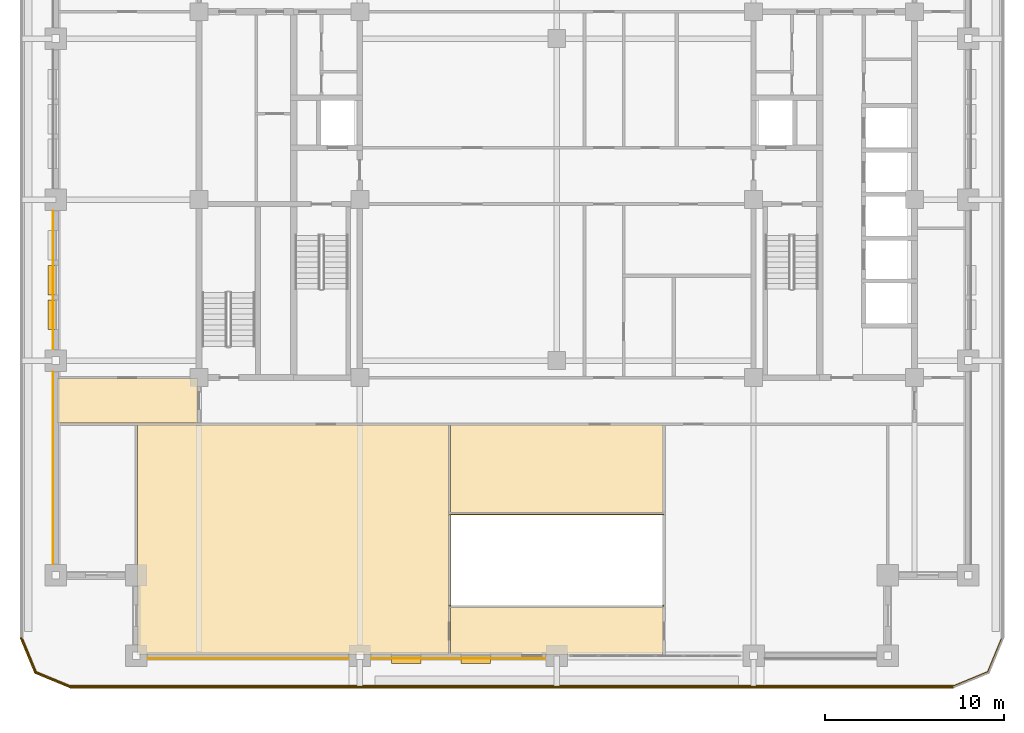
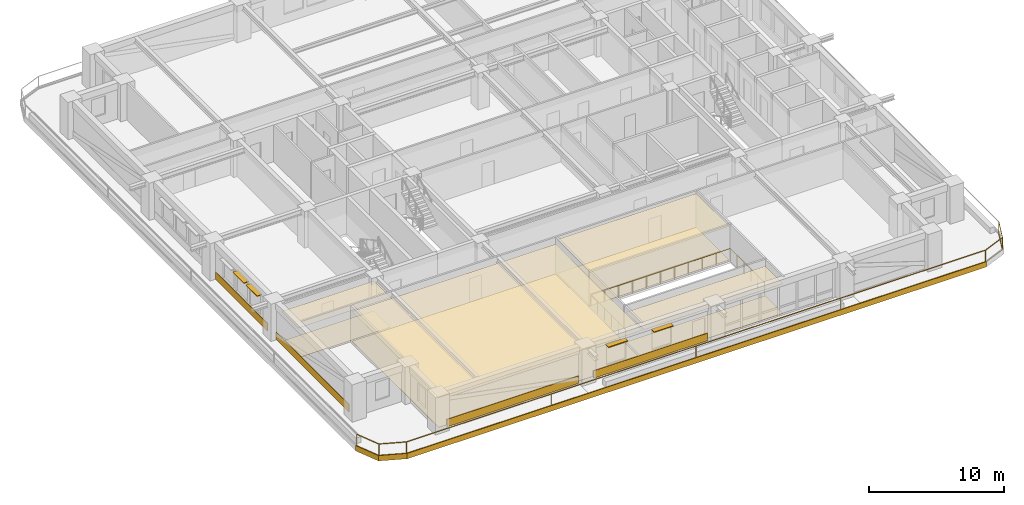
# One storey, part 13 of 20: 15 coverings, 4 shading devices, 2 railings.
"""IFC4 building model written with IfcOpenShell, lengths in metres."""

from ifc_helpers import new_model, si_unit, direction, frame, frame_2d, origin, origin_2d, place, context, subcontext, project, spatial, polyline, rectangle, outline, extrude, material, layer, layer_set, type_object, element, save


model = new_model("IFC4")

# Units and contexts
model_context = context("Model", 3, precision=1e-05, world=origin(), true_north=direction((0.0, 1.0)))
body_context = subcontext(model_context, "Body", "Model", "MODEL_VIEW")
ifc_project = project(units=[si_unit("LENGTHUNIT", "METRE"), si_unit("AREAUNIT", "SQUARE_METRE"), si_unit("VOLUMEUNIT", "CUBIC_METRE"), si_unit("PLANEANGLEUNIT", "RADIAN"), si_unit("MASSUNIT", "GRAM", prefix="KILO")], contexts=[model_context])

# Site, building, storey
site_placement = place(None, origin())
site = spatial("IfcSite", under=ifc_project, at=site_placement, CompositionType="ELEMENT")
building_placement = place(site_placement, origin())
building = spatial("IfcBuilding", under=site, at=building_placement, Name="Zulmaris Gate Convention Tower", CompositionType="ELEMENT")
storey_placement = place(building_placement, frame((0.0, 0.0, 146.33984375)))
storey = spatial("IfcBuildingStorey", under=building, at=storey_placement, Name="L37", CompositionType="ELEMENT", Elevation=146.33984375)

# Coverings
ifc_material_1 = material(Name="Precast concrete C40/50", Category="concrete")
ifc_layer_1 = layer(ifc_material_1, 0.0400390625, Name="Precast concrete C40/50")
ifc_layer_set_1 = layer_set([ifc_layer_1], Name="Precast concrete C40/50")
covering_type_1 = type_object("IfcCoveringType", Name="CLAD-SPANDREL-PRECAST", PredefinedType="CLADDING", material=ifc_layer_set_1)
covering_1_placement = place(storey_placement, frame((-22.8701171875, -25.64990234375, 0.0), z_axis=(0.0, 0.0, 1.0), x_axis=(1.0, 0.0, 0.0)))
element("IfcCovering", 1, at=covering_1_placement, inside=storey, type_object=covering_type_1, Name="CLD-L37-S-0_0", PredefinedType="CLADDING", context=body_context, shape_type="SweptSolid", body=[
    extrude(rectangle(XDim=11.240234375, YDim=0.0400390625, at=frame_2d((5.6201171875, 0.0))), origin(), (0.0, 0.0, 1.0), 0.679931640625),
])
covering_2_placement = place(storey_placement, frame((-10.3701171875, -25.64990234375, 0.0), z_axis=(0.0, 0.0, 1.0), x_axis=(1.0, 0.0, 0.0)))
element("IfcCovering", 2, at=covering_2_placement, inside=storey, type_object=covering_type_1, Name="CLD-L37-S-1_0", PredefinedType="CLADDING", context=body_context, shape_type="SweptSolid", body=[
    extrude(rectangle(XDim=9.740234375, YDim=0.0400390625, at=frame_2d((4.8701171875, 0.0))), origin(), (0.0, 0.0, 1.0), 0.679931640625),
])
covering_3_placement = place(storey_placement, frame((-28.14990234375, -9.6298828125, 0.0), z_axis=(0.0, 0.0, 1.0), x_axis=(0.0, -1.0, 0.0)))
element("IfcCovering", 3, at=covering_3_placement, inside=storey, type_object=covering_type_1, Name="CLD-L37-W-0_0", PredefinedType="CLADDING", context=body_context, shape_type="SweptSolid", body=[
    extrude(rectangle(XDim=10.740234375, YDim=0.0400390625, at=frame_2d((5.3701171875, 0.0))), origin(), (0.0, 0.0, 1.0), 0.679931640625),
])
covering_4_placement = place(storey_placement, frame((-28.14990234375, -0.6298828125, 0.0), z_axis=(0.0, 0.0, 1.0), x_axis=(0.0, -1.0, 0.0)))
element("IfcCovering", 4, at=covering_4_placement, inside=storey, type_object=covering_type_1, Name="CLD-L37-W-1_0", PredefinedType="CLADDING", context=body_context, shape_type="SweptSolid", body=[
    extrude(rectangle(XDim=7.740234375, YDim=0.0400390625, at=frame_2d((3.8701171875, 0.0))), origin(), (0.0, 0.0, 1.0), 0.679931640625),
])
ifc_material_2 = material(Name="White Glazed Architectural Precast Concrete C40/50", Category="concrete")
ifc_layer_2 = layer(ifc_material_2, 0.080078125, Name="White Glazed Architectural Precast Concrete C40/50")
ifc_layer_set_2 = layer_set([ifc_layer_2], Name="White Glazed Architectural Precast Concrete C40/50")
covering_type_2 = type_object("IfcCoveringType", Name="CLAD-TRAY-FASCIA", PredefinedType="CLADDING", material=ifc_layer_set_2)
covering_5_placement = place(storey_placement, frame((-29.962890625, -24.484619140625, -0.364990234375), z_axis=(0.0, 0.0, 1.0), x_axis=(0.382656984709, -0.923890487046, 0.0)))
element("IfcCovering", 5, at=covering_5_placement, inside=storey, type_object=covering_type_2, Name="FSC-L37-TR-00", PredefinedType="CLADDING", context=body_context, shape_type="SweptSolid", body=[
    extrude(rectangle(XDim=2.14306640625, YDim=0.080078125, at=frame_2d((1.071533203125, 0.0))), origin(), (0.0, 0.0, 1.0), 0.48486328125),
])
covering_6_placement = place(storey_placement, frame((-29.16455078125, -26.44287109375, -0.364990234375), z_axis=(0.0, 0.0, 1.0), x_axis=(0.923873803533, -0.382697263049, 0.0)))
element("IfcCovering", 6, at=covering_6_placement, inside=storey, type_object=covering_type_2, Name="FSC-L37-TR-01", PredefinedType="CLADDING", context=body_context, shape_type="SweptSolid", body=[
    extrude(rectangle(XDim=2.142822265625, YDim=0.080078125, at=frame_2d((1.0712890625, 0.0))), origin(), (0.0, 0.0, 1.0), 0.48486328125),
])
covering_7_placement = place(storey_placement, frame((-27.199951171875, -27.260009765625, -0.364990234375), z_axis=(0.0, 0.0, 1.0), x_axis=(1.0, 0.0, 0.0)))
element("IfcCovering", 7, at=covering_7_placement, inside=storey, type_object=covering_type_2, Name="FSC-L37-TR-02", PredefinedType="CLADDING", context=body_context, shape_type="SweptSolid", body=[
    extrude(rectangle(XDim=49.39990234375, YDim=0.080078125, at=frame_2d((24.699951171875, 0.0))), origin(), (0.0, 0.0, 1.0), 0.48486328125),
])
ifc_material_3 = material(Name="Mineral Fibre Acoustic Ceiling Tile")
ifc_layer_3 = layer(ifc_material_3, 0.02001953125, Name="Mineral Fibre Acoustic Ceiling Tile")
ifc_layer_set_3 = layer_set([ifc_layer_3], Name="Mineral Fibre Acoustic Ceiling Tile")
covering_type_3 = type_object("IfcCoveringType", Name="CLG-ACOUSTIC-600", PredefinedType="CEILING", material=ifc_layer_set_3)
covering_8_placement = place(storey_placement, frame((0.0, 0.0, 2.68017578125)))
element("IfcCovering", 8, at=covering_8_placement, inside=storey, type_object=covering_type_3, Name="CLG-L37-R39", PredefinedType="CEILING", context=body_context, shape_type="SweptSolid", body=[
    extrude(outline(polyline([(-5.93994140625, -25.43994140625), (5.93994140625, -25.43994140625), (5.93994140625, -22.81005859375), (-5.93994140625, -22.81005859375), (-5.93994140625, -25.43994140625)])), origin(), (0.0, 0.0, 1.0), 0.019775390625),
])
covering_9_placement = place(storey_placement, frame((0.0, 0.0, 3.0400390625)))
element("IfcCovering", 9, at=covering_9_placement, inside=storey, type_object=covering_type_3, Name="CLG-L37-R40", PredefinedType="CEILING", context=body_context, shape_type="SweptSolid", body=[
    extrude(outline(polyline([(-5.93994140625, -17.489990234375), (5.93994140625, -17.489990234375), (5.93994140625, -12.610107421875), (-5.93994140625, -12.610107421875), (-5.93994140625, -17.489990234375)])), origin(), (0.0, 0.0, 1.0), 0.02001953125),
])
covering_10_placement = place(storey_placement, frame((0.0, 0.0, 2.68017578125)))
element("IfcCovering", 10, at=covering_10_placement, inside=storey, type_object=covering_type_3, Name="CLG-L37-R41", PredefinedType="CEILING", context=body_context, shape_type="SweptSolid", body=[
    extrude(outline(polyline([(-23.43994140625, -25.43994140625), (-6.06005859375, -25.43994140625), (-6.06005859375, -12.610107421875), (-23.43994140625, -12.610107421875), (-23.43994140625, -25.43994140625)])), origin(), (0.0, 0.0, 1.0), 0.019775390625),
])
covering_11_placement = place(storey_placement, frame((0.0, 0.0, 2.68017578125)))
element("IfcCovering", 11, at=covering_11_placement, inside=storey, type_object=covering_type_3, Name="CLG-L37-R51", PredefinedType="CEILING", context=body_context, shape_type="SweptSolid", body=[
    extrude(outline(polyline([(-27.93994140625, -12.489990234375), (-20.06005859375, -12.489990234375), (-20.06005859375, -10.010009765625), (-27.93994140625, -10.010009765625), (-27.93994140625, -12.489990234375)])), origin(), (0.0, 0.0, 1.0), 0.019775390625),
])
ifc_material_4 = material(Name="Woven Acoustic Wool Carpet Tile")
ifc_layer_4 = layer(ifc_material_4, 0.02001953125, Name="Woven Acoustic Wool Carpet Tile")
ifc_layer_set_4 = layer_set([ifc_layer_4], Name="Woven Acoustic Wool Carpet Tile")
covering_type_4 = type_object("IfcCoveringType", Name="FLR-CARPET-12", PredefinedType="FLOORING", material=ifc_layer_set_4)
covering_12_placement = place(storey_placement, origin())
element("IfcCovering", 12, at=covering_12_placement, inside=storey, type_object=covering_type_4, Name="FLR-L37-R41", PredefinedType="FLOORING", context=body_context, shape_type="SweptSolid", body=[
    extrude(outline(polyline([(-23.43994140625, -25.43994140625), (-6.06005859375, -25.43994140625), (-6.06005859375, -12.610107421875), (-23.43994140625, -12.610107421875), (-23.43994140625, -25.43994140625)])), origin(), (0.0, 0.0, 1.0), 0.02001953125),
])
covering_13_placement = place(storey_placement, origin())
element("IfcCovering", 13, at=covering_13_placement, inside=storey, type_object=covering_type_4, Name="FLR-L37-R51", PredefinedType="FLOORING", context=body_context, shape_type="SweptSolid", body=[
    extrude(outline(polyline([(-27.93994140625, -12.489990234375), (-20.06005859375, -12.489990234375), (-20.06005859375, -10.010009765625), (-27.93994140625, -10.010009765625), (-27.93994140625, -12.489990234375)])), origin(), (0.0, 0.0, 1.0), 0.02001953125),
])
ifc_material_5 = material(Name="Engineered Teak Parquet Flooring")
ifc_layer_5 = layer(ifc_material_5, 0.02001953125, Name="Engineered Teak Parquet Flooring")
ifc_layer_set_5 = layer_set([ifc_layer_5], Name="Engineered Teak Parquet Flooring")
covering_type_5 = type_object("IfcCoveringType", Name="FLR-TIMBER-18", PredefinedType="FLOORING", material=ifc_layer_set_5)
covering_14_placement = place(storey_placement, origin())
element("IfcCovering", 14, at=covering_14_placement, inside=storey, type_object=covering_type_5, Name="FLR-L37-R39", PredefinedType="FLOORING", context=body_context, shape_type="SweptSolid", body=[
    extrude(outline(polyline([(-5.93994140625, -25.43994140625), (5.93994140625, -25.43994140625), (5.93994140625, -22.81005859375), (-5.93994140625, -22.81005859375), (-5.93994140625, -25.43994140625)])), origin(), (0.0, 0.0, 1.0), 0.02001953125),
])
covering_15_placement = place(storey_placement, origin())
element("IfcCovering", 15, at=covering_15_placement, inside=storey, type_object=covering_type_5, Name="FLR-L37-R40", PredefinedType="FLOORING", context=body_context, shape_type="SweptSolid", body=[
    extrude(outline(polyline([(-5.93994140625, -17.489990234375), (5.93994140625, -17.489990234375), (5.93994140625, -12.610107421875), (-5.93994140625, -12.610107421875), (-5.93994140625, -17.489990234375)])), origin(), (0.0, 0.0, 1.0), 0.02001953125),
])

# Railings
ifc_material_6 = material(Name="Laminated Glass and Stainless Steel", Category="steel")
railing_type_1 = type_object("IfcRailingType", Name="RL-BALC-1150", PredefinedType="BALUSTRADE", material=ifc_material_6)
railing_1_placement = place(storey_placement, frame((-29.8798828125, -24.5, -0.0400390625)))
element("IfcRailing", 16, at=railing_1_placement, inside=storey, type_object=railing_type_1, Name="RL-L37-BALC-S", PredefinedType="BALUSTRADE", context=body_context, shape_type="SweptSolid", body=[
    extrude(rectangle(XDim=0.048095703125, YDim=0.048095703125, at=origin_2d()), frame((0.0, 0.0, 1.1259765625), z_axis=(0.382670664694, -0.92388482095, 0.0), x_axis=(0.92388482095, 0.382670664694, 0.0)), (0.0, 0.0, 1.0), 2.051025390625),
    extrude(rectangle(XDim=0.048095703125, YDim=0.048095703125, at=origin_2d()), frame((0.0, 0.0, 0.02392578125), z_axis=(0.382670664694, -0.92388482095, 0.0), x_axis=(0.92388482095, 0.382670664694, 0.0)), (0.0, 0.0, 1.0), 2.051025390625),
    extrude(rectangle(XDim=0.048095703125, YDim=0.048095703125, at=origin_2d()), frame((0.784912109375, -1.89501953125, 1.1259765625), z_axis=(0.92388482095, -0.382670664694, 0.0), x_axis=(0.382670664694, 0.92388482095, 0.0)), (0.0, 0.0, 1.0), 2.051025390625),
    extrude(rectangle(XDim=0.048095703125, YDim=0.048095703125, at=origin_2d()), frame((0.784912109375, -1.89501953125, 0.02392578125), z_axis=(0.92388482095, -0.382670664694, 0.0), x_axis=(0.382670664694, 0.92388482095, 0.0)), (0.0, 0.0, 1.0), 2.051025390625),
    extrude(rectangle(XDim=0.048095703125, YDim=0.048095703125, at=origin_2d()), frame((2.679931640625, -2.679931640625, 1.1259765625), z_axis=(1.0, 0.0, 0.0), x_axis=(0.0, 1.0, 0.0)), (0.0, 0.0, 1.0), 49.39990234375),
    extrude(rectangle(XDim=0.048095703125, YDim=0.048095703125, at=origin_2d()), frame((2.679931640625, -2.679931640625, 0.02392578125), z_axis=(1.0, 0.0, 0.0), x_axis=(0.0, 1.0, 0.0)), (0.0, 0.0, 1.0), 49.39990234375),
    extrude(rectangle(XDim=0.048095703125, YDim=0.048095703125, at=origin_2d()), frame((52.079833984375, -2.679931640625, 1.1259765625), z_axis=(0.92388482095, 0.382670664694, 0.0), x_axis=(-0.382670664694, 0.92388482095, 0.0)), (0.0, 0.0, 1.0), 2.051025390625),
    extrude(rectangle(XDim=0.048095703125, YDim=0.048095703125, at=origin_2d()), frame((52.079833984375, -2.679931640625, 0.02392578125), z_axis=(0.92388482095, 0.382670664694, 0.0), x_axis=(-0.382670664694, 0.92388482095, 0.0)), (0.0, 0.0, 1.0), 2.051025390625),
    extrude(rectangle(XDim=0.048095703125, YDim=0.048095703125, at=origin_2d()), frame((53.974853515625, -1.89501953125, 1.1259765625), z_axis=(0.382670664694, 0.92388482095, 0.0), x_axis=(-0.92388482095, 0.382670664694, 0.0)), (0.0, 0.0, 1.0), 2.051025390625),
    extrude(rectangle(XDim=0.048095703125, YDim=0.048095703125, at=origin_2d()), frame((53.974853515625, -1.89501953125, 0.02392578125), z_axis=(0.382670664694, 0.92388482095, 0.0), x_axis=(-0.92388482095, 0.382670664694, 0.0)), (0.0, 0.0, 1.0), 2.051025390625),
    extrude(rectangle(XDim=0.0419921875, YDim=0.0419921875, at=origin_2d()), origin(), (0.0, 0.0, 1.0), 1.101806640625),
    extrude(rectangle(XDim=0.0419921875, YDim=0.0419921875, at=origin_2d()), frame((0.784912109375, -1.89501953125, 0.0)), (0.0, 0.0, 1.0), 1.101806640625),
    extrude(rectangle(XDim=0.0419921875, YDim=0.0419921875, at=origin_2d()), frame((2.679931640625, -2.679931640625, 0.0)), (0.0, 0.0, 1.0), 1.101806640625),
    extrude(rectangle(XDim=0.0419921875, YDim=0.0419921875, at=origin_2d()), frame((15.02978515625, -2.679931640625, 0.0)), (0.0, 0.0, 1.0), 1.101806640625),
    extrude(rectangle(XDim=0.0419921875, YDim=0.0419921875, at=origin_2d()), frame((27.3798828125, -2.679931640625, 0.0)), (0.0, 0.0, 1.0), 1.101806640625),
    extrude(rectangle(XDim=0.0419921875, YDim=0.0419921875, at=origin_2d()), frame((39.72998046875, -2.679931640625, 0.0)), (0.0, 0.0, 1.0), 1.101806640625),
    extrude(rectangle(XDim=0.0419921875, YDim=0.0419921875, at=origin_2d()), frame((52.079833984375, -2.679931640625, 0.0)), (0.0, 0.0, 1.0), 1.101806640625),
    extrude(rectangle(XDim=0.0419921875, YDim=0.0419921875, at=origin_2d()), frame((53.974853515625, -1.89501953125, 0.0)), (0.0, 0.0, 1.0), 1.101806640625),
    extrude(rectangle(XDim=0.0419921875, YDim=0.0419921875, at=origin_2d()), frame((54.759765625, 0.0, 0.0)), (0.0, 0.0, 1.0), 1.101806640625),
])
ifc_material_7 = material(Name="Painted Galvanised Steel", Category="steel")
railing_type_2 = type_object("IfcRailingType", Name="RL-GUARD-1150", PredefinedType="GUARDRAIL", material=ifc_material_7)
railing_2_placement = place(storey_placement, frame((-5.949951171875, -22.699951171875, 0.0)))
element("IfcRailing", 17, at=railing_2_placement, inside=storey, type_object=railing_type_2, Name="RL-L37-SKYGARDEN-VOID", PredefinedType="GUARDRAIL", context=body_context, shape_type="SweptSolid", body=[
    extrude(rectangle(XDim=0.048095703125, YDim=0.048095703125, at=origin_2d()), frame((0.0, 0.0, 1.1259765625), z_axis=(0.0, 1.0, 0.0), x_axis=(-1.0, 0.0, 0.0)), (0.0, 0.0, 1.0), 5.099853515625),
    extrude(rectangle(XDim=0.048095703125, YDim=0.048095703125, at=origin_2d()), frame((0.0, 5.099853515625, 1.1259765625), z_axis=(1.0, 0.0, 0.0), x_axis=(0.0, 1.0, 0.0)), (0.0, 0.0, 1.0), 11.89990234375),
    extrude(rectangle(XDim=0.048095703125, YDim=0.048095703125, at=origin_2d()), frame((11.89990234375, 5.099853515625, 1.1259765625), z_axis=(0.0, -1.0, 0.0), x_axis=(1.0, 0.0, 0.0)), (0.0, 0.0, 1.0), 5.099853515625),
    extrude(rectangle(XDim=0.0419921875, YDim=0.0419921875, at=origin_2d()), origin(), (0.0, 0.0, 1.0), 1.101806640625),
    extrude(rectangle(XDim=0.0419921875, YDim=0.0419921875, at=origin_2d()), frame((0.0, 1.02001953125, 0.0)), (0.0, 0.0, 1.0), 1.101806640625),
    extrude(rectangle(XDim=0.0419921875, YDim=0.0419921875, at=origin_2d()), frame((0.0, 2.0400390625, 0.0)), (0.0, 0.0, 1.0), 1.101806640625),
    extrude(rectangle(XDim=0.0419921875, YDim=0.0419921875, at=origin_2d()), frame((0.0, 3.059814453125, 0.0)), (0.0, 0.0, 1.0), 1.101806640625),
    extrude(rectangle(XDim=0.0419921875, YDim=0.0419921875, at=origin_2d()), frame((0.0, 4.079833984375, 0.0)), (0.0, 0.0, 1.0), 1.101806640625),
    extrude(rectangle(XDim=0.0419921875, YDim=0.0419921875, at=origin_2d()), frame((0.0, 5.099853515625, 0.0)), (0.0, 0.0, 1.0), 1.101806640625),
    extrude(rectangle(XDim=0.0419921875, YDim=0.0419921875, at=origin_2d()), frame((1.18994140625, 5.099853515625, 0.0)), (0.0, 0.0, 1.0), 1.101806640625),
    extrude(rectangle(XDim=0.0419921875, YDim=0.0419921875, at=origin_2d()), frame((2.3798828125, 5.099853515625, 0.0)), (0.0, 0.0, 1.0), 1.101806640625),
    extrude(rectangle(XDim=0.0419921875, YDim=0.0419921875, at=origin_2d()), frame((3.570068359375, 5.099853515625, 0.0)), (0.0, 0.0, 1.0), 1.101806640625),
    extrude(rectangle(XDim=0.0419921875, YDim=0.0419921875, at=origin_2d()), frame((4.760009765625, 5.099853515625, 0.0)), (0.0, 0.0, 1.0), 1.101806640625),
    extrude(rectangle(XDim=0.0419921875, YDim=0.0419921875, at=origin_2d()), frame((5.949951171875, 5.099853515625, 0.0)), (0.0, 0.0, 1.0), 1.101806640625),
    extrude(rectangle(XDim=0.0419921875, YDim=0.0419921875, at=origin_2d()), frame((7.139892578125, 5.099853515625, 0.0)), (0.0, 0.0, 1.0), 1.101806640625),
    extrude(rectangle(XDim=0.0419921875, YDim=0.0419921875, at=origin_2d()), frame((8.329833984375, 5.099853515625, 0.0)), (0.0, 0.0, 1.0), 1.101806640625),
    extrude(rectangle(XDim=0.0419921875, YDim=0.0419921875, at=origin_2d()), frame((9.52001953125, 5.099853515625, 0.0)), (0.0, 0.0, 1.0), 1.101806640625),
    extrude(rectangle(XDim=0.0419921875, YDim=0.0419921875, at=origin_2d()), frame((10.7099609375, 5.099853515625, 0.0)), (0.0, 0.0, 1.0), 1.101806640625),
    extrude(rectangle(XDim=0.0419921875, YDim=0.0419921875, at=origin_2d()), frame((11.89990234375, 5.099853515625, 0.0)), (0.0, 0.0, 1.0), 1.101806640625),
    extrude(rectangle(XDim=0.0419921875, YDim=0.0419921875, at=origin_2d()), frame((11.89990234375, 4.079833984375, 0.0)), (0.0, 0.0, 1.0), 1.101806640625),
    extrude(rectangle(XDim=0.0419921875, YDim=0.0419921875, at=origin_2d()), frame((11.89990234375, 3.059814453125, 0.0)), (0.0, 0.0, 1.0), 1.101806640625),
    extrude(rectangle(XDim=0.0419921875, YDim=0.0419921875, at=origin_2d()), frame((11.89990234375, 2.0400390625, 0.0)), (0.0, 0.0, 1.0), 1.101806640625),
    extrude(rectangle(XDim=0.0419921875, YDim=0.0419921875, at=origin_2d()), frame((11.89990234375, 1.02001953125, 0.0)), (0.0, 0.0, 1.0), 1.101806640625),
    extrude(rectangle(XDim=0.0419921875, YDim=0.0419921875, at=origin_2d()), frame((11.89990234375, 0.0, 0.0)), (0.0, 0.0, 1.0), 1.101806640625),
])

# Shading devices
ifc_material_8 = material(Name="Glazed Ceramic Terracotta", Category="masonry")
ifc_layer_6 = layer(ifc_material_8, 0.070068359375, Name="Glazed Ceramic Terracotta")
ifc_layer_set_6 = layer_set([ifc_layer_6], Name="Glazed Ceramic Terracotta")
shading_device_type = type_object("IfcShadingDeviceType", Name="SHD-SUNSHADE-TC", PredefinedType="AWNING", material=ifc_layer_set_6)
for number, where, z_axis, x_axis, name in (
    (18, (-9.2470703125, -25.719970703125, 2.530029296875), (0.0, 0.0, 1.0), (1.0, 0.0, 0.0), "SHD-EW-L37-S-1_0-1"),
    (19, (-5.35107421875, -25.719970703125, 2.530029296875), (0.0, 0.0, 1.0), (1.0, 0.0, 0.0), "SHD-EW-L37-S-1_0-3"),
):
    element("IfcShadingDevice", number, at=place(storey_placement, frame(where, z_axis=z_axis, x_axis=x_axis)), inside=storey, type_object=shading_device_type, Name=name, PredefinedType="AWNING", context=body_context, shape_type="SweptSolid", body=[
        extrude(rectangle(XDim=1.650146484375, YDim=0.43994140625, at=frame_2d((0.8251953125, 0.0))), origin(), (0.0, 0.0, 1.0), 0.06982421875),
    ])
for number, where, z_axis, x_axis, name in (
    (20, (-28.219970703125, -3.675048828125, 2.530029296875), (0.0, 0.0, 1.0), (0.0, -1.0, 0.0), "SHD-EW-L37-W-1_0-2"),
    (21, (-28.219970703125, -5.610107421875, 2.530029296875), (0.0, 0.0, 1.0), (0.0, -1.0, 0.0), "SHD-EW-L37-W-1_0-3"),
):
    element("IfcShadingDevice", number, at=place(storey_placement, frame(where, z_axis=z_axis, x_axis=x_axis)), inside=storey, type_object=shading_device_type, Name=name, PredefinedType="AWNING", context=body_context, shape_type="SweptSolid", body=[
        extrude(rectangle(XDim=1.64990234375, YDim=0.43994140625, at=frame_2d((0.824951171875, 0.0))), origin(), (0.0, 0.0, 1.0), 0.06982421875),
    ])

save(model, "model.ifc")
